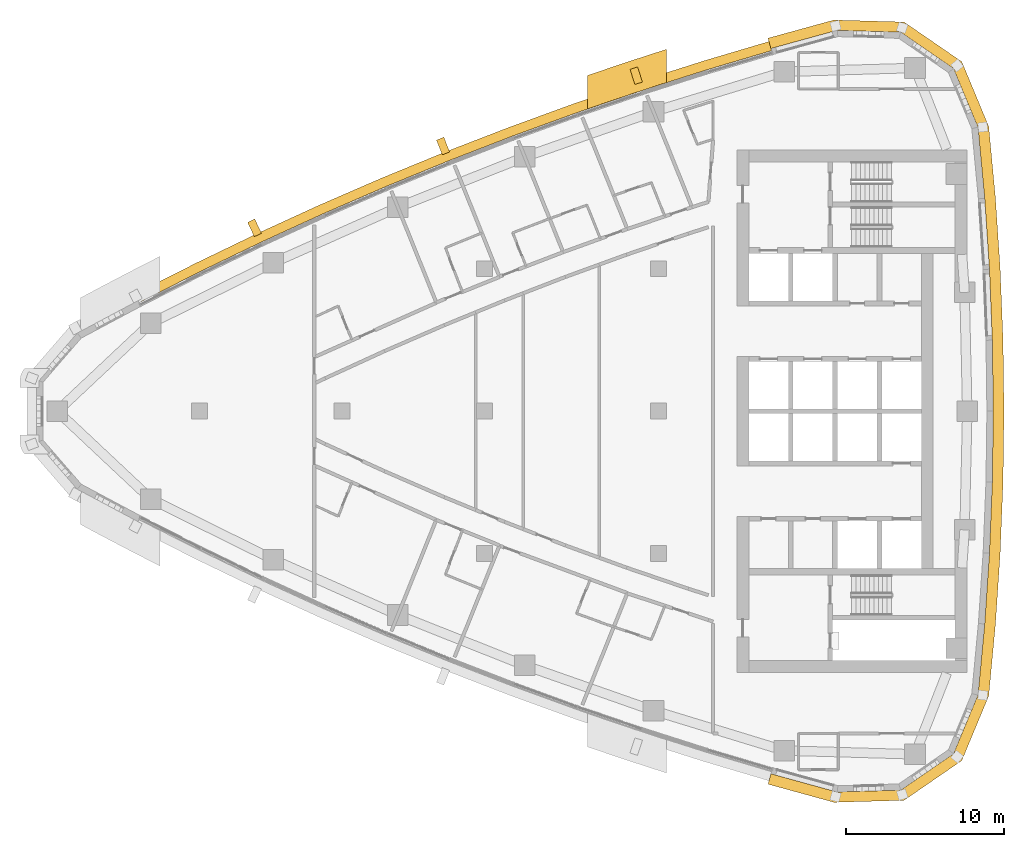
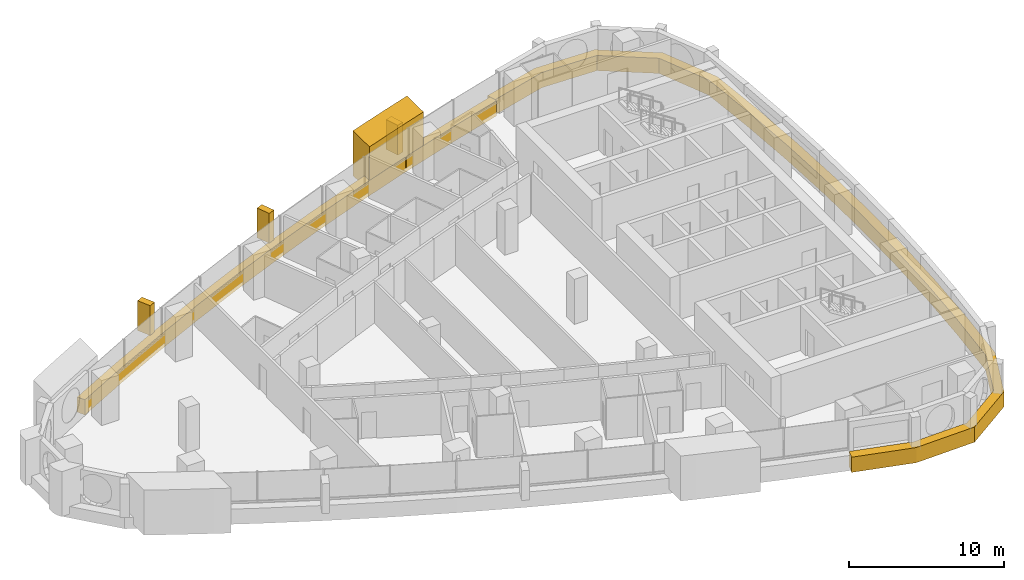
# One storey, part 16 of 17: 6 coverings.
"""IFC4 building model written with IfcOpenShell, lengths in metres."""

from ifc_helpers import new_model, si_unit, direction, frame, frame_2d, origin, place, context, subcontext, project, spatial, polyline, rectangle, outline, extrude, material, layer, layer_set, type_object, element, save


model = new_model("IFC4")

# Units and contexts
model_context = context("Model", 3, precision=1e-05, world=origin(), true_north=direction((0.0, 1.0)))
body_context = subcontext(model_context, "Body", "Model", "MODEL_VIEW")
ifc_project = project(units=[si_unit("LENGTHUNIT", "METRE"), si_unit("AREAUNIT", "SQUARE_METRE"), si_unit("VOLUMEUNIT", "CUBIC_METRE"), si_unit("PLANEANGLEUNIT", "RADIAN"), si_unit("MASSUNIT", "GRAM", prefix="KILO")], contexts=[model_context])

# Site, building, storey
site_placement = place(None, origin())
site = spatial("IfcSite", under=ifc_project, at=site_placement, CompositionType="ELEMENT")
building_placement = place(site_placement, origin())
building = spatial("IfcBuilding", under=site, at=building_placement, Name="Ostrand Prow Hotel Tower", CompositionType="ELEMENT")
storey_placement = place(building_placement, frame((0.0, 0.0, 203.89990234375)))
storey = spatial("IfcBuildingStorey", under=building, at=storey_placement, Name="L51", CompositionType="ELEMENT", Elevation=203.89990234375)

# Coverings
ifc_material_1 = material(Name="Bronze anodised aluminium cladding", Category="aluminium")
ifc_layer_1 = layer(ifc_material_1, 0.60009765625)
ifc_layer_set_1 = layer_set([ifc_layer_1], Name="Bronze anodised aluminium cladding")
covering_type_1 = type_object("IfcCoveringType", Name="Bronze spandrel band 1200x600", PredefinedType="CLADDING", material=ifc_layer_set_1)
covering_1_placement = place(storey_placement, frame((0.0, 0.0, -0.2998046875)))
element("IfcCovering", 1, at=covering_1_placement, inside=storey, type_object=covering_type_1, Name="Spandrel band N1", PredefinedType="CLADDING", context=body_context, shape_type="SweptSolid", body=[
    extrude(outline(polyline([(51.9736328125, 23.35009765625), (47.831787109375, 22.12060546875), (43.7158203125, 20.80810546875), (39.626708984375, 19.4130859375), (35.566650390625, 17.93603515625), (31.537353515625, 16.37744140625), (27.5400390625, 14.738037109375), (23.57666015625, 13.0185546875), (19.648681640625, 11.219482421875), (15.757568359375, 9.341796875), (11.9052734375, 7.38623046875), (12.18212890625, 6.85400390625), (16.023681640625, 8.80419921875), (19.90380859375, 10.676513671875), (23.821044921875, 12.470458984375), (27.773193359375, 14.185302734375), (31.759521484375, 15.820068359375), (35.777587890625, 17.374267578125), (39.826171875, 18.84716796875), (43.90380859375, 20.23828125), (48.00830078125, 21.547119140625), (52.138427734375, 22.773193359375), (51.9736328125, 23.35009765625)])), origin(), (0.0, 0.0, 1.0), 1.199951171875),
])
covering_2_placement = place(storey_placement, frame((0.0, 0.0, -0.2998046875)))
element("IfcCovering", 2, at=covering_2_placement, inside=storey, type_object=covering_type_1, Name="Spandrel band back 1", PredefinedType="CLADDING", context=body_context, shape_type="SweptSolid", body=[
    extrude(outline(polyline([(51.9130859375, -23.561767578125), (56.0830078125, -24.708740234375), (60.5087890625, -24.581787109375), (64.15625, -22.072021484375), (65.856201171875, -17.98388671875), (66.27783203125, -13.499267578125), (66.5791015625, -9.0048828125), (66.760009765625, -4.50390625), (66.8203125, 0.0), (66.760009765625, 4.50390625), (66.5791015625, 9.0048828125), (66.27783203125, 13.499267578125), (65.856201171875, 17.98388671875), (64.15625, 22.072021484375), (60.5087890625, 24.581787109375), (56.0830078125, 24.708740234375), (51.9130859375, 23.561767578125), (52.10009765625, 22.907958984375), (56.256591796875, 24.05126953125), (60.297607421875, 23.935302734375), (63.6279296875, 21.643798828125), (65.18017578125, 17.9111328125), (65.60009765625, 13.444580078125), (65.900146484375, 8.968505859375), (66.080078125, 4.48583984375), (66.140380859375, 0.0), (66.080078125, -4.48583984375), (65.900146484375, -8.968505859375), (65.60009765625, -13.444580078125), (65.18017578125, -17.9111328125), (63.6279296875, -21.643798828125), (60.297607421875, -23.935302734375), (56.256591796875, -24.05126953125), (52.10009765625, -22.907958984375), (51.9130859375, -23.561767578125)])), origin(), (0.0, 0.0, 1.0), 1.199951171875),
])
ifc_material_2 = material(Name="Limestone cladding", Category="masonry")
ifc_layer_2 = layer(ifc_material_2, 5.0)
ifc_layer_set_2 = layer_set([ifc_layer_2], Name="Limestone cladding")
covering_type_2 = type_object("IfcCoveringType", Name="Portal jamb pilaster limestone", PredefinedType="CLADDING", material=ifc_layer_set_2)
covering_3_placement = place(storey_placement, origin())
element("IfcCovering", 3, at=covering_3_placement, inside=storey, type_object=covering_type_2, Name="Portal jamb NB L51", PredefinedType="CLADDING", context=body_context, shape_type="SweptSolid", body=[
    extrude(outline(polyline([(40.5, 19.08349609375), (41.5, 19.429443359375), (42.5, 19.769775390625), (43.5, 20.104736328125), (44.5, 20.43408203125), (45.5, 20.75830078125), (45.5, 22.85791015625), (44.5, 22.537109375), (43.5, 22.211181640625), (42.5, 21.879638671875), (41.5, 21.542724609375), (40.5, 21.200439453125), (40.5, 19.08349609375)])), origin(), (0.0, 0.0, 1.0), 3.550048828125),
])
ifc_material_3 = material(Name="Limestone cladding", Category="masonry")
ifc_layer_3 = layer(ifc_material_3, 0.5)
ifc_layer_set_3 = layer_set([ifc_layer_3], Name="Limestone cladding")
covering_type_3 = type_object("IfcCoveringType", Name="Precast stone fin 500x900", PredefinedType="CLADDING", material=ifc_layer_set_3)
for number, where, z_axis, x_axis, name in (
    (4, (43.7470703125, 20.713134765625, 0.900146484375), (0.0, 0.0, 1.0), (-0.313443495886, 0.949606852801, 0.0), "Stone fin N 3"),
    (5, (31.57421875, 16.284423828125, 0.900146484375), (0.0, 0.0, 1.0), (-0.37012750131, 0.9289809647, 0.0), "Stone fin N 6"),
):
    element("IfcCovering", number, at=place(storey_placement, frame(where, z_axis=z_axis, x_axis=x_axis)), inside=storey, type_object=covering_type_3, Name=name, PredefinedType="CLADDING", context=body_context, shape_type="SweptSolid", body=[
        extrude(rectangle(XDim=1.0, YDim=0.5, at=frame_2d((0.5, 0.0))), origin(), (0.0, 0.0, 1.0), 2.349853515625),
    ])
covering_4_placement = place(storey_placement, frame((19.691162109375, 11.129150390625, 0.900146484375), z_axis=(0.0, 0.0, 1.0), x_axis=(-0.425597120581, 0.904912753227, 0.0)))
element("IfcCovering", 6, at=covering_4_placement, inside=storey, type_object=covering_type_3, Name="Stone fin N 9", PredefinedType="CLADDING", context=body_context, shape_type="SweptSolid", body=[
    extrude(rectangle(XDim=0.999755859375, YDim=0.5, at=frame_2d((0.5, 0.0))), origin(), (0.0, 0.0, 1.0), 2.349853515625),
])

save(model, "model.ifc")
